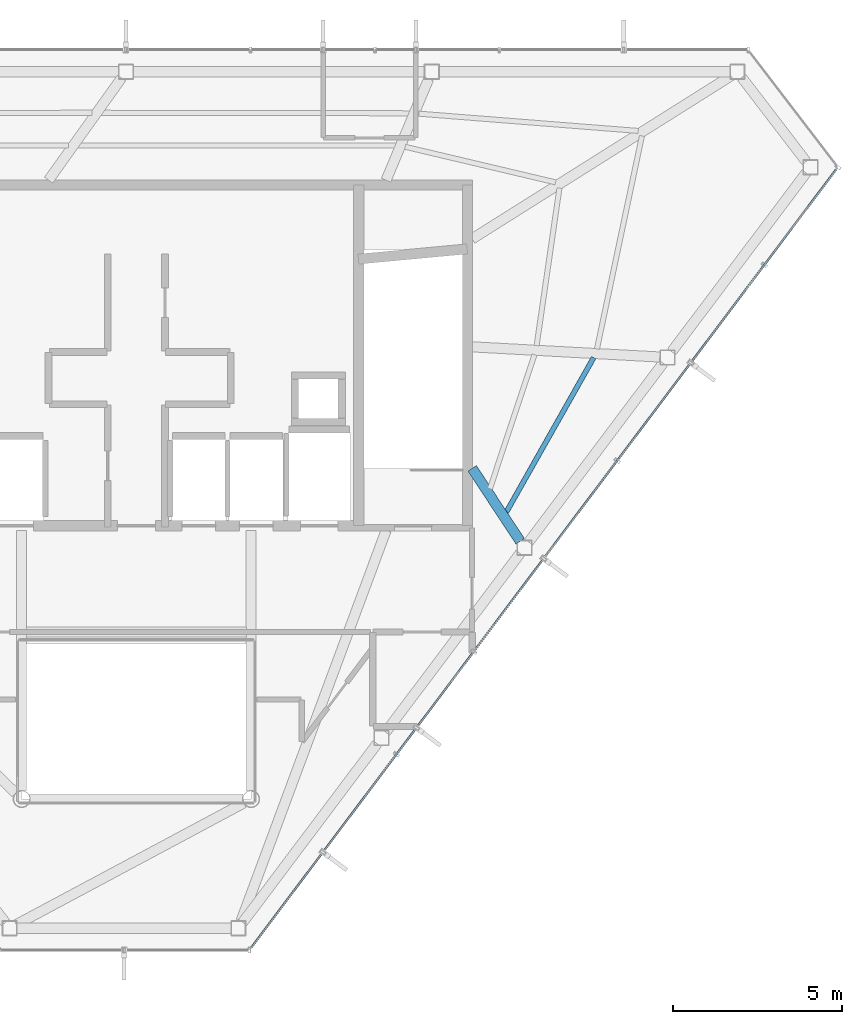
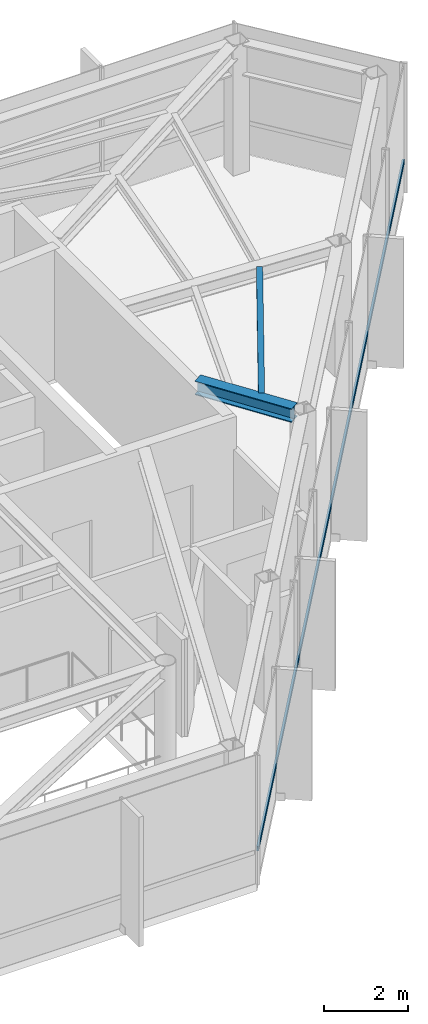
# One storey, part 15 of 21: 2 beams, 1 member, 1 element without a shape of its own.
"""IFC4 building model written with IfcOpenShell, lengths in metres."""

import ifcopenshell
import ifcopenshell.guid

model = None  # the IFC model being written
_history = None  # IfcOwnerHistory: only IFC2X3 demands one
_inside = {}  # id of a spatial element -> (the spatial element, [elements in it])
_under = {}  # id of a project, library or spatial element -> (it, [spatial elements below it])
_declared = {}  # id of a project -> (the project, [libraries it declares])
_typed = {}  # id of a type object -> (the type object, [elements of that type])
_made_of = {}  # id of a material, layer set ... -> (it, [elements and type objects made of it])


def new_model(schema):
    """Start an empty IFC model of exactly this schema.

    Asked for "IFC4X3", IfcOpenShell would pick the latest addendum, in which some entities
    have other attributes; the version numbers below select the first issue.
    IFC2X3 requires an IfcOwnerHistory on every rooted entity: one is made here for all.
    """
    global model, _history
    if schema == "IFC4X3":
        model = ifcopenshell.file(schema_version=(4, 3, 0, 0))
    else:
        model = ifcopenshell.file(schema=schema)
    _inside.clear()
    _under.clear()
    _declared.clear()
    _typed.clear()
    _made_of.clear()
    _history = None
    if model.schema == "IFC2X3":
        org = make("IfcOrganization", Name="unknown")
        user = make(
            "IfcPersonAndOrganization",
            ThePerson=make("IfcPerson", FamilyName="unknown"),
            TheOrganization=org,
        )
        app = make(
            "IfcApplication",
            ApplicationDeveloper=org,
            Version="unknown",
            ApplicationFullName="unknown",
            ApplicationIdentifier="unknown",
        )
        _history = make(
            "IfcOwnerHistory",
            OwningUser=user,
            OwningApplication=app,
            ChangeAction="ADDED",
            CreationDate=0,
        )
    return model


def make(cls, **values):
    """One entity of the class cls with the attributes given. An attribute that is None is left unset."""
    return model.create_entity(
        cls, **{name: value for name, value in values.items() if value is not None}
    )


def rooted(cls, **values):
    """An entity with a GlobalId (a new one), such as an element, a storey or a relation."""
    return make(cls, GlobalId=ifcopenshell.guid.new(), OwnerHistory=_history, **values)


def si_unit(unit_type, name, prefix=None):
    """IfcSIUnit, for example si_unit("LENGTHUNIT", "METRE", prefix="MILLI")."""
    return make("IfcSIUnit", UnitType=unit_type, Prefix=prefix, Name=name)


def assignment(units):
    """IfcUnitAssignment: the units of a project."""
    return None if units is None else make("IfcUnitAssignment", Units=units)


def point(xyz):
    """IfcCartesianPoint."""
    return None if xyz is None else make("IfcCartesianPoint", Coordinates=xyz)


def direction(xyz):
    """IfcDirection."""
    return None if xyz is None else make("IfcDirection", DirectionRatios=xyz)


def frame(location, z_axis=None, x_axis=None):
    """IfcAxis2Placement3D, a coordinate frame: its origin and axes. An axis left out is left unset."""
    return make(
        "IfcAxis2Placement3D",
        Location=point(location),
        Axis=direction(z_axis),
        RefDirection=direction(x_axis),
    )


def frame_2d(location, x_axis=None):
    """IfcAxis2Placement2D, a coordinate frame in the plane: its origin and x axis."""
    return make(
        "IfcAxis2Placement2D", Location=point(location), RefDirection=direction(x_axis)
    )


def origin():
    """The frame at (0, 0, 0) with its axes left unset."""
    return frame((0.0, 0.0, 0.0))


def origin_2d():
    """The frame at (0, 0) in the plane with its x axis left unset."""
    return frame_2d((0.0, 0.0))


def place(relative_to, where):
    """IfcLocalPlacement: puts the frame where relative to a parent placement (None: the world)."""
    return make(
        "IfcLocalPlacement", PlacementRelTo=relative_to, RelativePlacement=where
    )


def context(
    kind, dimensions, precision=None, world=None, true_north=None, identifier=None
):
    """IfcGeometricRepresentationContext, for example the 3D "Model" context."""
    return make(
        "IfcGeometricRepresentationContext",
        ContextIdentifier=identifier,
        ContextType=kind,
        CoordinateSpaceDimension=dimensions,
        Precision=precision,
        WorldCoordinateSystem=world,
        TrueNorth=true_north,
    )


def subcontext(parent, identifier, kind, view, scale=None):
    """IfcGeometricRepresentationSubContext, for example "Body" below "Model"."""
    return make(
        "IfcGeometricRepresentationSubContext",
        ContextIdentifier=identifier,
        ContextType=kind,
        ParentContext=parent,
        TargetScale=scale,
        TargetView=view,
    )


def project(units=None, contexts=None):
    """IfcProject with its units and contexts."""
    return rooted(
        "IfcProject",
        Name="project",
        RepresentationContexts=contexts,
        UnitsInContext=assignment(units),
    )


def spatial(cls, under=None, at=None, **own):
    """A site, building, storey or space (cls), placed at a placement, below another one or the project."""
    s = rooted(cls, ObjectPlacement=at, **own)
    if under is not None:
        _under.setdefault(under.id(), (under, []))[1].append(s)
    return s


def profile(cls, at=None, kind="AREA", **sizes):
    """A parametric profile (cls). Its sizes go by their IFC names, for example OverallWidth=200.0."""
    return make(cls, ProfileType=kind, Position=at, **sizes)


def hollow_rectangle(**sizes):
    """IfcRectangleHollowProfileDef."""
    return profile("IfcRectangleHollowProfileDef", **sizes)


def i_section(**sizes):
    """IfcIShapeProfileDef."""
    return profile("IfcIShapeProfileDef", **sizes)


def extrude(swept, where, along, depth):
    """IfcExtrudedAreaSolid: the profile swept, set in the frame where, extruded along a direction by depth."""
    return make(
        "IfcExtrudedAreaSolid",
        SweptArea=swept,
        Position=where,
        ExtrudedDirection=direction(along),
        Depth=depth,
    )


def shape(context_of_items, identifier, shape_type, items):
    """IfcShapeRepresentation: the items that make up one representation, for example the "Body"."""
    return make(
        "IfcShapeRepresentation",
        ContextOfItems=context_of_items,
        RepresentationIdentifier=identifier,
        RepresentationType=shape_type,
        Items=items,
    )


def material(Name=None, Category=None):
    """IfcMaterial."""
    return make("IfcMaterial", Name=Name, Category=Category)


def layer(
    of_material, thickness, ventilated=None, Name=None, Category=None, Priority=None
):
    """IfcMaterialLayer: one layer of a wall or slab, of a material (None: an air gap)."""
    return make(
        "IfcMaterialLayer",
        Material=of_material,
        LayerThickness=thickness,
        IsVentilated=ventilated,
        Name=Name,
        Category=Category,
        Priority=Priority,
    )


def layer_set(layers, Name=None):
    """IfcMaterialLayerSet."""
    return make("IfcMaterialLayerSet", MaterialLayers=layers, LayerSetName=Name)


def material_profile(
    of_material, cross_section, Name=None, Category=None, Priority=None
):
    """IfcMaterialProfile: a cross section and its material."""
    return make(
        "IfcMaterialProfile",
        Name=Name,
        Material=of_material,
        Profile=cross_section,
        Priority=Priority,
        Category=Category,
    )


def profile_set(profiles, Name=None, composite=None):
    """IfcMaterialProfileSet."""
    return make(
        "IfcMaterialProfileSet",
        Name=Name,
        MaterialProfiles=profiles,
        CompositeProfile=composite,
    )


def made_of(thing, what):
    """Note that an element or type object is made of a material, layer set ...; save() writes the relation."""
    if what is not None:
        _made_of.setdefault(what.id(), (what, []))[1].append(thing)
    return thing


def type_object(cls, material=None, **own):
    """A type object (cls), such as IfcWallType, which elements share."""
    return made_of(rooted(cls, **own), material)


def element(
    cls,
    number,
    at=None,
    inside=None,
    cuts=None,
    type_object=None,
    material=None,
    context=None,
    identifier="Body",
    shape_type=None,
    held_by="IfcProductDefinitionShape",
    body=None,
    shapes=None,
    **own,
):
    """One element of the class cls, such as IfcWall. Its Tag is "e" and its number.

    at: its placement. inside: the storey or other place that contains it. cuts: it is an
    opening in that element (IfcRelVoidsElement). A single representation is given by context,
    identifier, shape_type and body (its items); several are given by shapes. held_by: the class
    of the entity that holds the representations. save() writes the other relations.
    """
    e = rooted(cls, Tag="e%d" % number, ObjectPlacement=at, **own)
    if body is not None:
        shapes = [shape(context, identifier, shape_type, body)]
    if shapes is not None:
        e.Representation = make(held_by, Representations=shapes)
    if inside is not None:
        _inside.setdefault(inside.id(), (inside, []))[1].append(e)
    if cuts is not None:
        rooted(
            "IfcRelVoidsElement", RelatingBuildingElement=cuts, RelatedOpeningElement=e
        )
    if type_object is not None:
        _typed.setdefault(type_object.id(), (type_object, []))[1].append(e)
    return made_of(e, material)


def aggregate(whole, parts):
    """IfcRelAggregates: a whole, such as a stair, and the parts it consists of."""
    return rooted("IfcRelAggregates", RelatingObject=whole, RelatedObjects=parts)


def save(model, path):
    """Write the relations noted so far, then the file.

    IfcRelAggregates (storeys below a building ...), IfcRelContainedInSpatialStructure (elements
    in a storey), IfcRelDefinesByType, IfcRelAssociatesMaterial and IfcRelDeclares: one each for
    every whole, place, type object, material and project.
    """
    for whole, parts in _under.values():
        aggregate(whole, parts)
    for where, things in _inside.values():
        rooted(
            "IfcRelContainedInSpatialStructure",
            RelatedElements=things,
            RelatingStructure=where,
        )
    for kind, things in _typed.values():
        rooted("IfcRelDefinesByType", RelatedObjects=things, RelatingType=kind)
    for what, things in _made_of.values():
        rooted("IfcRelAssociatesMaterial", RelatedObjects=things, RelatingMaterial=what)
    for by, libraries in _declared.values():
        rooted("IfcRelDeclares", RelatingContext=by, RelatedDefinitions=libraries)
    model.write(path)


model = new_model("IFC4")

# Units and contexts
model_context = context("Model", 3, precision=1e-05, world=origin(), true_north=direction((0.0, 1.0)))
body_context = subcontext(model_context, "Body", "Model", "MODEL_VIEW")
ifc_project = project(units=[si_unit("LENGTHUNIT", "METRE"), si_unit("AREAUNIT", "SQUARE_METRE"), si_unit("VOLUMEUNIT", "CUBIC_METRE"), si_unit("PLANEANGLEUNIT", "RADIAN"), si_unit("MASSUNIT", "GRAM", prefix="KILO")], contexts=[model_context])

# Site, building, storey
site_placement = place(None, origin())
site = spatial("IfcSite", under=ifc_project, at=site_placement, CompositionType="ELEMENT")
building_placement = place(site_placement, origin())
building = spatial("IfcBuilding", under=site, at=building_placement, Name="Zarrinselat Tower", CompositionType="ELEMENT")
storey_placement = place(building_placement, frame((0.0, 0.0, 299.199951171875)))
storey = spatial("IfcBuildingStorey", under=building, at=storey_placement, Name="L77", CompositionType="ELEMENT", Elevation=299.199951171875)

# Beams
ifc_material_1 = material(Name="Steel S355J2", Category="steel")
ifc_material_profile_1 = material_profile(ifc_material_1, i_section(OverallWidth=0.300048828125, OverallDepth=0.39990234375, WebThickness=0.013427734375, FlangeThickness=0.02392578125, at=origin_2d()), Name="HEB 400")
ifc_profile_set_1 = profile_set([ifc_material_profile_1], Name="Steel S355J2")
beam_type_1 = type_object("IfcBeamType", Name="BM-HEB400", PredefinedType="BEAM", material=ifc_profile_set_1)
beam_1_placement = place(storey_placement, frame((48.35009765625, 35.0, 3.580078125), z_axis=(0.549968105202, -0.835185657959, 0.0), x_axis=(0.835185657959, 0.549968105202, 0.0)))
element("IfcBeam", 1, at=beam_1_placement, inside=storey, type_object=beam_type_1, Name="L77 Radial Primary Girder RG13", PredefinedType="BEAM", context=body_context, shape_type="SweptSolid", body=[
    extrude(i_section(OverallWidth=0.300048828125, OverallDepth=0.39990234375, WebThickness=0.013427734375, FlangeThickness=0.02392578125, at=origin_2d()), origin(), (0.0, 0.0, 1.0), 2.58837890625),
])
ifc_material_2 = material(Name="Steel S355J2", Category="steel")
ifc_material_profile_2 = material_profile(ifc_material_2, i_section(OverallWidth=0.14990234375, OverallDepth=0.300048828125, WebThickness=0.007080078125, FlangeThickness=0.0107421875, at=origin_2d()), Name="IPE 300")
ifc_profile_set_2 = profile_set([ifc_material_profile_2], Name="Steel S355J2")
beam_type_2 = type_object("IfcBeamType", Name="BM-IPE300", PredefinedType="JOIST", material=ifc_profile_set_2)
beam_2_placement = place(storey_placement, frame((49.358642578125, 33.695068359375, 3.630126953125), z_axis=(0.492179466951, 0.870493752023, 0.0), x_axis=(-0.870493752023, 0.492179466951, 0.0)))
element("IfcBeam", 2, at=beam_2_placement, inside=storey, type_object=beam_type_2, Name="L77 Composite Floor Joist 4-1", PredefinedType="JOIST", context=body_context, shape_type="SweptSolid", body=[
    extrude(i_section(OverallWidth=0.14990234375, OverallDepth=0.300048828125, WebThickness=0.007080078125, FlangeThickness=0.0107421875, at=origin_2d()), origin(), (0.0, 0.0, 1.0), 5.265869140625),
])

# Curtain wall, member
ifc_material_3 = material(Name="Extruded Aluminium Alloy EN AW-6063 T6", Category="aluminium")
ifc_layer = layer(ifc_material_3, 0.199951171875)
ifc_layer_set = layer_set([ifc_layer], Name="Extruded Aluminium Alloy EN AW-6063 T6")
curtain_wall_type = type_object("IfcCurtainWallType", Name="CWS-BLADE", PredefinedType="NOTDEFINED", material=ifc_layer_set)
curtain_wall_placement = place(storey_placement, origin())
curtain_wall = element("IfcCurtainWall", 3, at=curtain_wall_placement, inside=storey, type_object=curtain_wall_type, Name="L77 Unitised Curtain Wall CW-L77-E05", PredefinedType="NOTDEFINED")
ifc_material_4 = material(Name="Extruded Aluminium Alloy EN AW-6063 T6", Category="aluminium")
ifc_material_profile_3 = material_profile(ifc_material_4, hollow_rectangle(XDim=0.06005859375, YDim=0.139892578125, WallThickness=0.00390625, at=origin_2d()), Name="RHS 140x60x4")
ifc_profile_set_3 = profile_set([ifc_material_profile_3], Name="Extruded Aluminium Alloy EN AW-6063 T6")
member_type = type_object("IfcMemberType", Name="MEM-CW-TRN", PredefinedType="USERDEFINED", material=ifc_profile_set_3)
member_placement = place(storey_placement, frame((41.80224609375, 20.795166015625, 0.949951171875), z_axis=(0.60084325214, 0.799366865937, 0.0), x_axis=(-0.799366865937, 0.60084325214, 0.0)))
member = element("IfcMember", 4, at=member_placement, type_object=member_type, Name="CW-L77-E05 Transom 1", ObjectType="TRANSOM", PredefinedType="USERDEFINED", context=body_context, shape_type="SweptSolid", body=[
    extrude(hollow_rectangle(XDim=0.06005859375, YDim=0.139892578125, WallThickness=0.00390625, at=origin_2d()), origin(), (0.0, 0.0, 1.0), 28.84814453125),
])
aggregate(curtain_wall, [member])

save(model, "model.ifc")
